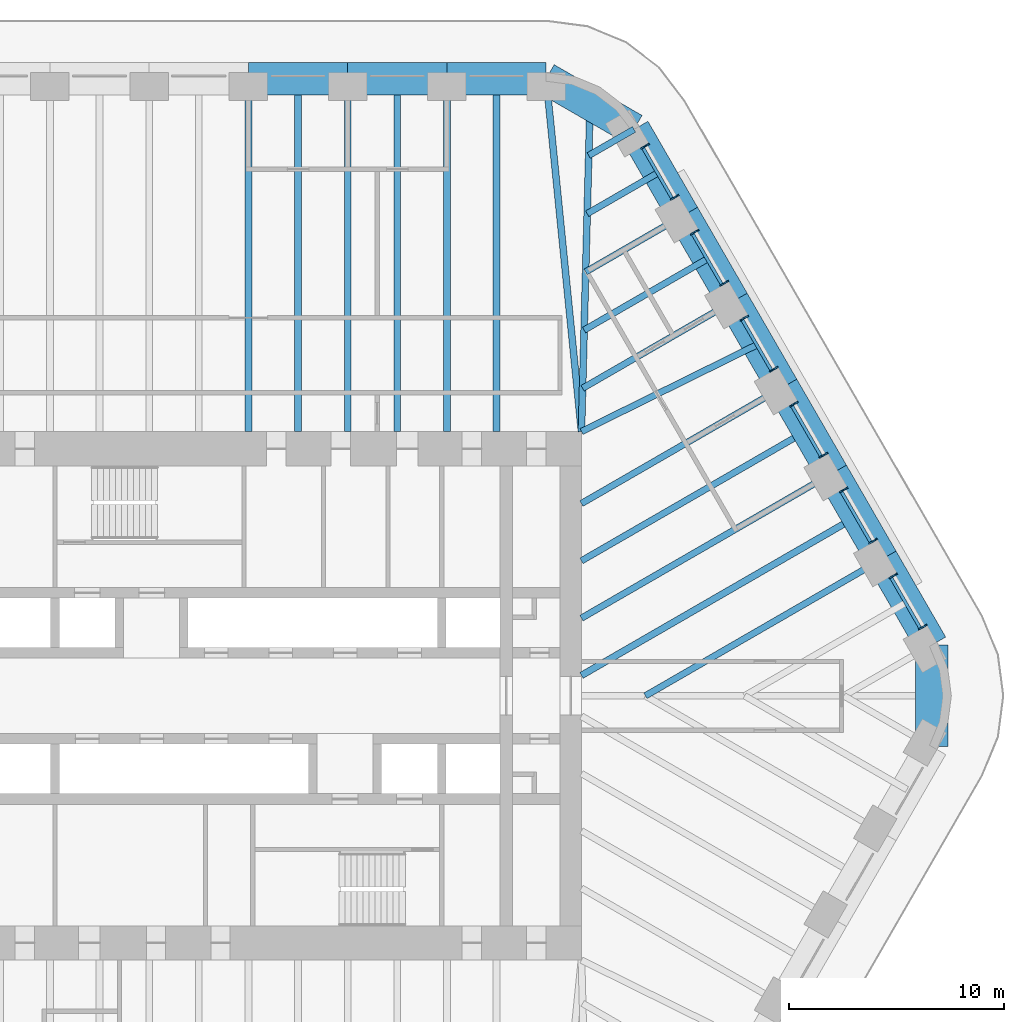
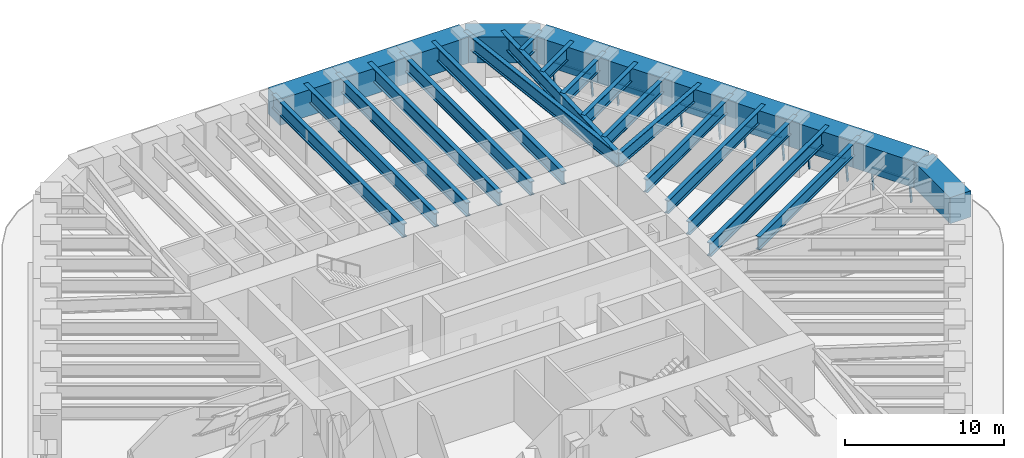
# One storey, part 5 of 12: 30 beams, 18 members, 6 elements without a shape of their own.
"""IFC4 building model written with IfcOpenShell, lengths in metres."""

from ifc_helpers import new_model, si_unit, direction, frame, origin, origin_2d, place, context, subcontext, project, spatial, rectangle, i_section, extrude, material, material_profile, profile_set, type_object, element, aggregate, save


model = new_model("IFC4")

# Units and contexts
model_context = context("Model", 3, precision=1e-05, world=origin(), true_north=direction((0.0, 1.0)))
body_context = subcontext(model_context, "Body", "Model", "MODEL_VIEW")
ifc_project = project(units=[si_unit("LENGTHUNIT", "METRE"), si_unit("AREAUNIT", "SQUARE_METRE"), si_unit("VOLUMEUNIT", "CUBIC_METRE"), si_unit("PLANEANGLEUNIT", "RADIAN"), si_unit("MASSUNIT", "GRAM", prefix="KILO")], contexts=[model_context])

# Site, building, storey
site_placement = place(None, origin())
site = spatial("IfcSite", under=ifc_project, at=site_placement, CompositionType="ELEMENT")
building_placement = place(site_placement, origin())
building = spatial("IfcBuilding", under=site, at=building_placement, Name="Tarfa Lantern Tower", CompositionType="ELEMENT")
storey_placement = place(building_placement, frame((0.0, 0.0, 295.300048828125)))
storey = spatial("IfcBuildingStorey", under=building, at=storey_placement, Name="L67", CompositionType="ELEMENT", Elevation=295.300048828125)

# Curtain wall, members
ifc_material_1 = material(Name="Aluminium framed curtain wall", Category="aluminium")
curtain_wall_type = type_object("IfcCurtainWallType", Name="CW3 CANTED GLAZING HIGH ZONE 1900", PredefinedType="USERDEFINED", material=ifc_material_1)
curtain_wall_1_placement = place(storey_placement, origin())
curtain_wall_1 = element("IfcCurtainWall", 1, at=curtain_wall_1_placement, inside=storey, type_object=curtain_wall_type, Name="CW3 NE L67", ObjectType="CURTAIN WALL", PredefinedType="USERDEFINED")
ifc_material_2 = material(Name="Aluminium mullion", Category="aluminium")
ifc_material_profile_1 = material_profile(ifc_material_2, rectangle(XDim=0.06494140625, YDim=0.199951171875, at=origin_2d()), Name="AL MULLION 65x200")
ifc_profile_set_1 = profile_set([ifc_material_profile_1], Name="Aluminium mullion")
member_type_1 = type_object("IfcMemberType", Name="CWM1 MULLION 65x200", PredefinedType="MULLION", material=ifc_profile_set_1)
member_1_placement = place(storey_placement, frame((31.489990234375, 3.257568359375, 0.0), z_axis=(-0.112880747246, -0.065231312178, 0.99146498315), x_axis=(0.500342721131, -0.865827443207, 0.0)))
member_1 = element("IfcMember", 2, at=member_1_placement, type_object=member_type_1, Name="CW3 mullion 1", PredefinedType="MULLION", context=body_context, shape_type="SweptSolid", body=[
    extrude(rectangle(XDim=0.06494140625, YDim=0.199951171875, at=origin_2d()), origin(), (0.0, 0.0, 1.0), 1.916259765625),
])
member_2_placement = place(storey_placement, frame((30.11328125, 5.642333984375, 0.0), z_axis=(-0.113006526037, -0.065230373541, 0.991450716597), x_axis=(0.499919672301, -0.866071776036, 0.0)))
member_2 = element("IfcMember", 3, at=member_2_placement, type_object=member_type_1, Name="CW3 mullion 2", PredefinedType="MULLION", context=body_context, shape_type="SweptSolid", body=[
    extrude(rectangle(XDim=0.06494140625, YDim=0.199951171875, at=origin_2d()), origin(), (0.0, 0.0, 1.0), 1.916259765625),
])

curtain_wall_2_placement = place(storey_placement, origin())
curtain_wall_2 = element("IfcCurtainWall", 4, at=curtain_wall_2_placement, inside=storey, type_object=curtain_wall_type, Name="CW3 NE L67", ObjectType="CURTAIN WALL", PredefinedType="USERDEFINED")
member_3_placement = place(storey_placement, frame((29.1806640625, 7.257568359375, 0.0), z_axis=(-0.113006526037, -0.065230373541, 0.991450716597), x_axis=(0.499919672301, -0.866071776036, 0.0)))
member_3 = element("IfcMember", 5, at=member_3_placement, type_object=member_type_1, Name="CW3 mullion 1", PredefinedType="MULLION", context=body_context, shape_type="SweptSolid", body=[
    extrude(rectangle(XDim=0.06494140625, YDim=0.199951171875, at=origin_2d()), origin(), (0.0, 0.0, 1.0), 1.916259765625),
])
member_4_placement = place(storey_placement, frame((27.8037109375, 9.642333984375, 0.0), z_axis=(-0.113006526037, -0.065230373541, 0.991450716597), x_axis=(0.499919672301, -0.866071776036, 0.0)))
member_4 = element("IfcMember", 6, at=member_4_placement, type_object=member_type_1, Name="CW3 mullion 2", PredefinedType="MULLION", context=body_context, shape_type="SweptSolid", body=[
    extrude(rectangle(XDim=0.06494140625, YDim=0.199951171875, at=origin_2d()), origin(), (0.0, 0.0, 1.0), 1.916259765625),
])

curtain_wall_3_placement = place(storey_placement, origin())
curtain_wall_3 = element("IfcCurtainWall", 7, at=curtain_wall_3_placement, inside=storey, type_object=curtain_wall_type, Name="CW3 NE L67", ObjectType="CURTAIN WALL", PredefinedType="USERDEFINED")
member_5_placement = place(storey_placement, frame((26.871337890625, 11.257568359375, 0.0), z_axis=(-0.113006526037, -0.065230373541, 0.991450716597), x_axis=(0.499919672301, -0.866071776036, 0.0)))
member_5 = element("IfcMember", 8, at=member_5_placement, type_object=member_type_1, Name="CW3 mullion 1", PredefinedType="MULLION", context=body_context, shape_type="SweptSolid", body=[
    extrude(rectangle(XDim=0.06494140625, YDim=0.199951171875, at=origin_2d()), origin(), (0.0, 0.0, 1.0), 1.916259765625),
])
member_6_placement = place(storey_placement, frame((25.494384765625, 13.642333984375, 0.0), z_axis=(-0.113006526037, -0.065230373541, 0.991450716597), x_axis=(0.499919672301, -0.866071776036, 0.0)))
member_6 = element("IfcMember", 9, at=member_6_placement, type_object=member_type_1, Name="CW3 mullion 2", PredefinedType="MULLION", context=body_context, shape_type="SweptSolid", body=[
    extrude(rectangle(XDim=0.06494140625, YDim=0.199951171875, at=origin_2d()), origin(), (0.0, 0.0, 1.0), 1.916259765625),
])

curtain_wall_4_placement = place(storey_placement, origin())
curtain_wall_4 = element("IfcCurtainWall", 10, at=curtain_wall_4_placement, inside=storey, type_object=curtain_wall_type, Name="CW3 NE L67", ObjectType="CURTAIN WALL", PredefinedType="USERDEFINED")
member_7_placement = place(storey_placement, frame((24.561767578125, 15.257568359375, 0.0), z_axis=(-0.112880747246, -0.065231312178, 0.99146498315), x_axis=(0.500342721131, -0.865827443207, 0.0)))
member_7 = element("IfcMember", 11, at=member_7_placement, type_object=member_type_1, Name="CW3 mullion 1", PredefinedType="MULLION", context=body_context, shape_type="SweptSolid", body=[
    extrude(rectangle(XDim=0.06494140625, YDim=0.199951171875, at=origin_2d()), origin(), (0.0, 0.0, 1.0), 1.916259765625),
])
member_8_placement = place(storey_placement, frame((23.18505859375, 17.642333984375, 0.0), z_axis=(-0.113006526037, -0.065230373541, 0.991450716597), x_axis=(0.499919672301, -0.866071776036, 0.0)))
member_8 = element("IfcMember", 12, at=member_8_placement, type_object=member_type_1, Name="CW3 mullion 2", PredefinedType="MULLION", context=body_context, shape_type="SweptSolid", body=[
    extrude(rectangle(XDim=0.06494140625, YDim=0.199951171875, at=origin_2d()), origin(), (0.0, 0.0, 1.0), 1.916259765625),
])

curtain_wall_5_placement = place(storey_placement, origin())
curtain_wall_5 = element("IfcCurtainWall", 13, at=curtain_wall_5_placement, inside=storey, type_object=curtain_wall_type, Name="CW3 NE L67", ObjectType="CURTAIN WALL", PredefinedType="USERDEFINED")
member_9_placement = place(storey_placement, frame((22.25244140625, 19.257568359375, 0.0), z_axis=(-0.113006526037, -0.065230373541, 0.991450716597), x_axis=(0.499919672301, -0.866071776036, 0.0)))
member_9 = element("IfcMember", 14, at=member_9_placement, type_object=member_type_1, Name="CW3 mullion 1", PredefinedType="MULLION", context=body_context, shape_type="SweptSolid", body=[
    extrude(rectangle(XDim=0.06494140625, YDim=0.199951171875, at=origin_2d()), origin(), (0.0, 0.0, 1.0), 1.916259765625),
])
member_10_placement = place(storey_placement, frame((20.87548828125, 21.642333984375, 0.0), z_axis=(-0.112880747246, -0.065231312178, 0.99146498315), x_axis=(0.500342721131, -0.865827443207, 0.0)))
member_10 = element("IfcMember", 15, at=member_10_placement, type_object=member_type_1, Name="CW3 mullion 2", PredefinedType="MULLION", context=body_context, shape_type="SweptSolid", body=[
    extrude(rectangle(XDim=0.06494140625, YDim=0.199951171875, at=origin_2d()), origin(), (0.0, 0.0, 1.0), 1.916259765625),
])

curtain_wall_6_placement = place(storey_placement, origin())
curtain_wall_6 = element("IfcCurtainWall", 16, at=curtain_wall_6_placement, inside=storey, type_object=curtain_wall_type, Name="CW3 NE L67", ObjectType="CURTAIN WALL", PredefinedType="USERDEFINED")
member_11_placement = place(storey_placement, frame((19.943115234375, 23.257568359375, 0.0), z_axis=(-0.113006526037, -0.065230373541, 0.991450716597), x_axis=(0.499919672301, -0.866071776036, 0.0)))
member_11 = element("IfcMember", 17, at=member_11_placement, type_object=member_type_1, Name="CW3 mullion 1", PredefinedType="MULLION", context=body_context, shape_type="SweptSolid", body=[
    extrude(rectangle(XDim=0.06494140625, YDim=0.199951171875, at=origin_2d()), origin(), (0.0, 0.0, 1.0), 1.916259765625),
])
member_12_placement = place(storey_placement, frame((18.566162109375, 25.642333984375, 0.0), z_axis=(-0.113006526037, -0.065230373541, 0.991450716597), x_axis=(0.499919672301, -0.866071776036, 0.0)))
member_12 = element("IfcMember", 18, at=member_12_placement, type_object=member_type_1, Name="CW3 mullion 2", PredefinedType="MULLION", context=body_context, shape_type="SweptSolid", body=[
    extrude(rectangle(XDim=0.06494140625, YDim=0.199951171875, at=origin_2d()), origin(), (0.0, 0.0, 1.0), 1.916259765625),
])

# Member
ifc_material_3 = material(Name="Aluminium transom", Category="aluminium")
ifc_material_profile_2 = material_profile(ifc_material_3, rectangle(XDim=0.14990234375, YDim=0.06494140625, at=origin_2d()), Name="AL TRANSOM 150x65")
ifc_profile_set_2 = profile_set([ifc_material_profile_2], Name="Aluminium transom")
member_type_2 = type_object("IfcMemberType", Name="CWT1 TRANSOM 150x65", PredefinedType="USERDEFINED", material=ifc_profile_set_2)
member_13_placement = place(storey_placement, frame((31.260986328125, 3.162841796875, 1.867431640625), z_axis=(-0.499947775101, 0.866055553744, 0.0), x_axis=(-0.866055553744, -0.499947775101, 0.0)))
member_13 = element("IfcMember", 19, at=member_13_placement, type_object=member_type_2, Name="CW3 transom 1.2", ObjectType="TRANSOM", PredefinedType="USERDEFINED", context=body_context, shape_type="SweptSolid", body=[
    extrude(rectangle(XDim=0.14990234375, YDim=0.06494140625, at=origin_2d()), origin(), (0.0, 0.0, 1.0), 2.688720703125),
])

aggregate(curtain_wall_1, [member_1, member_2, member_13])

member_14_placement = place(storey_placement, frame((28.95166015625, 7.162841796875, 1.867431640625), z_axis=(-0.500015875611, 0.866016237802, 0.0), x_axis=(-0.866016237802, -0.500015875611, 0.0)))
member_14 = element("IfcMember", 20, at=member_14_placement, type_object=member_type_2, Name="CW3 transom 1.2", ObjectType="TRANSOM", PredefinedType="USERDEFINED", context=body_context, shape_type="SweptSolid", body=[
    extrude(rectangle(XDim=0.14990234375, YDim=0.06494140625, at=origin_2d()), origin(), (0.0, 0.0, 1.0), 2.68896484375),
])

aggregate(curtain_wall_2, [member_3, member_4, member_14])

member_15_placement = place(storey_placement, frame((26.642333984375, 11.162841796875, 1.867431640625), z_axis=(-0.500015875611, 0.866016237802, 0.0), x_axis=(-0.866016237802, -0.500015875611, 0.0)))
member_15 = element("IfcMember", 21, at=member_15_placement, type_object=member_type_2, Name="CW3 transom 1.2", ObjectType="TRANSOM", PredefinedType="USERDEFINED", context=body_context, shape_type="SweptSolid", body=[
    extrude(rectangle(XDim=0.14990234375, YDim=0.06494140625, at=origin_2d()), origin(), (0.0, 0.0, 1.0), 2.68896484375),
])

aggregate(curtain_wall_3, [member_5, member_6, member_15])

member_16_placement = place(storey_placement, frame((24.332763671875, 15.162841796875, 1.867431640625), z_axis=(-0.499947775101, 0.866055553744, 0.0), x_axis=(-0.866055553744, -0.499947775101, 0.0)))
member_16 = element("IfcMember", 22, at=member_16_placement, type_object=member_type_2, Name="CW3 transom 1.2", ObjectType="TRANSOM", PredefinedType="USERDEFINED", context=body_context, shape_type="SweptSolid", body=[
    extrude(rectangle(XDim=0.14990234375, YDim=0.06494140625, at=origin_2d()), origin(), (0.0, 0.0, 1.0), 2.688720703125),
])

aggregate(curtain_wall_4, [member_7, member_8, member_16])

member_17_placement = place(storey_placement, frame((22.0234375, 19.162841796875, 1.867431640625), z_axis=(-0.500015875611, 0.866016237802, 0.0), x_axis=(-0.866016237802, -0.500015875611, 0.0)))
member_17 = element("IfcMember", 23, at=member_17_placement, type_object=member_type_2, Name="CW3 transom 1.2", ObjectType="TRANSOM", PredefinedType="USERDEFINED", context=body_context, shape_type="SweptSolid", body=[
    extrude(rectangle(XDim=0.14990234375, YDim=0.06494140625, at=origin_2d()), origin(), (0.0, 0.0, 1.0), 2.68896484375),
])

aggregate(curtain_wall_5, [member_9, member_10, member_17])

member_18_placement = place(storey_placement, frame((19.714111328125, 23.162841796875, 1.867431640625), z_axis=(-0.500015875611, 0.866016237802, 0.0), x_axis=(-0.866016237802, -0.500015875611, 0.0)))
member_18 = element("IfcMember", 24, at=member_18_placement, type_object=member_type_2, Name="CW3 transom 1.2", ObjectType="TRANSOM", PredefinedType="USERDEFINED", context=body_context, shape_type="SweptSolid", body=[
    extrude(rectangle(XDim=0.14990234375, YDim=0.06494140625, at=origin_2d()), origin(), (0.0, 0.0, 1.0), 2.68896484375),
])

aggregate(curtain_wall_6, [member_11, member_12, member_18])

# Beams
ifc_material_4 = material(Name="Concrete C80/95", Category="concrete")
ifc_material_profile_3 = material_profile(ifc_material_4, rectangle(XDim=1.5, YDim=2.0, at=origin_2d()), Name="RC 1500x2000")
ifc_profile_set_3 = profile_set([ifc_material_profile_3], Name="Concrete C80/95")
beam_type_1 = type_object("IfcBeamType", Name="RB3 RC 1500x2000", PredefinedType="BEAM", material=ifc_profile_set_3)
beam_1_placement = place(storey_placement, frame((31.800537109375, 2.360107421875, 2.89990234375), z_axis=(-0.500027479704, 0.866009537788, 0.0), x_axis=(-0.866009537788, -0.500027479704, 0.0)))
element("IfcBeam", 25, at=beam_1_placement, inside=storey, type_object=beam_type_1, Name="Edge beam NE0", PredefinedType="BEAM", context=body_context, shape_type="SweptSolid", body=[
    extrude(rectangle(XDim=1.5, YDim=2.0, at=origin_2d()), origin(), (0.0, 0.0, 1.0), 4.618896484375),
])
for number, where, z_axis, x_axis, name in (
    (26, (29.490966796875, 6.360107421875, 2.89990234375), (-0.499987836815, 0.866032426089, 0.0), (-0.866032426089, -0.499987836815, 0.0), "Edge beam NE1"),
    (27, (27.181640625, 10.360107421875, 2.89990234375), (-0.499987836815, 0.866032426089, 0.0), (-0.866032426089, -0.499987836815, 0.0), "Edge beam NE2"),
):
    element("IfcBeam", number, at=place(storey_placement, frame(where, z_axis=z_axis, x_axis=x_axis)), inside=storey, type_object=beam_type_1, Name=name, PredefinedType="BEAM", context=body_context, shape_type="SweptSolid", body=[
        extrude(rectangle(XDim=1.5, YDim=2.0, at=origin_2d()), origin(), (0.0, 0.0, 1.0), 4.61865234375),
    ])
beam_2_placement = place(storey_placement, frame((24.872314453125, 14.360107421875, 2.89990234375), z_axis=(-0.500027479704, 0.866009537788, 0.0), x_axis=(-0.866009537788, -0.500027479704, 0.0)))
element("IfcBeam", 28, at=beam_2_placement, inside=storey, type_object=beam_type_1, Name="Edge beam NE3", PredefinedType="BEAM", context=body_context, shape_type="SweptSolid", body=[
    extrude(rectangle(XDim=1.5, YDim=2.0, at=origin_2d()), origin(), (0.0, 0.0, 1.0), 4.618896484375),
])
for number, where, z_axis, x_axis, name in (
    (29, (22.562744140625, 18.360107421875, 2.89990234375), (-0.499987836815, 0.866032426089, 0.0), (-0.866032426089, -0.499987836815, 0.0), "Edge beam NE4"),
    (30, (20.25341796875, 22.360107421875, 2.89990234375), (-0.499987836815, 0.866032426089, 0.0), (-0.866032426089, -0.499987836815, 0.0), "Edge beam NE5"),
):
    element("IfcBeam", number, at=place(storey_placement, frame(where, z_axis=z_axis, x_axis=x_axis)), inside=storey, type_object=beam_type_1, Name=name, PredefinedType="BEAM", context=body_context, shape_type="SweptSolid", body=[
        extrude(rectangle(XDim=1.5, YDim=2.0, at=origin_2d()), origin(), (0.0, 0.0, 1.0), 4.61865234375),
    ])
beam_3_placement = place(storey_placement, frame((17.944091796875, 26.360107421875, 2.89990234375), z_axis=(-0.866038294681, 0.499977671647, 0.0), x_axis=(-0.499977671647, -0.866038294681, 0.0)))
element("IfcBeam", 31, at=beam_3_placement, inside=storey, type_object=beam_type_1, Name="Edge beam NE6", PredefinedType="BEAM", context=body_context, shape_type="SweptSolid", body=[
    extrude(rectangle(XDim=1.5, YDim=2.0, at=origin_2d()), origin(), (0.0, 0.0, 1.0), 4.719970703125),
])
beam_4_placement = place(storey_placement, frame((13.8564453125, 28.719970703125, 2.89990234375), z_axis=(-1.0, 0.0, 0.0), x_axis=(0.0, -1.0, 0.0)))
element("IfcBeam", 32, at=beam_4_placement, inside=storey, type_object=beam_type_1, Name="Edge beam N0", PredefinedType="BEAM", context=body_context, shape_type="SweptSolid", body=[
    extrude(rectangle(XDim=1.5, YDim=2.0, at=origin_2d()), origin(), (0.0, 0.0, 1.0), 4.618896484375),
])
beam_5_placement = place(storey_placement, frame((9.237548828125, 28.719970703125, 2.89990234375), z_axis=(-1.0, 0.0, 0.0), x_axis=(0.0, -1.0, 0.0)))
element("IfcBeam", 33, at=beam_5_placement, inside=storey, type_object=beam_type_1, Name="Edge beam N1", PredefinedType="BEAM", context=body_context, shape_type="SweptSolid", body=[
    extrude(rectangle(XDim=1.5, YDim=2.0, at=origin_2d()), origin(), (0.0, 0.0, 1.0), 4.61865234375),
])
beam_6_placement = place(storey_placement, frame((4.618896484375, 28.719970703125, 2.89990234375), z_axis=(-1.0, 0.0, 0.0), x_axis=(0.0, -1.0, 0.0)))
element("IfcBeam", 34, at=beam_6_placement, inside=storey, type_object=beam_type_1, Name="Edge beam N2", PredefinedType="BEAM", context=body_context, shape_type="SweptSolid", body=[
    extrude(rectangle(XDim=1.5, YDim=2.0, at=origin_2d()), origin(), (0.0, 0.0, 1.0), 4.618896484375),
])
beam_7_placement = place(storey_placement, frame((31.800537109375, -2.360107421875, 2.89990234375), z_axis=(0.0, 1.0, 0.0), x_axis=(-1.0, 0.0, 0.0)))
element("IfcBeam", 35, at=beam_7_placement, inside=storey, type_object=beam_type_1, Name="Edge beam SE6", PredefinedType="BEAM", context=body_context, shape_type="SweptSolid", body=[
    extrude(rectangle(XDim=1.5, YDim=2.0, at=origin_2d()), origin(), (0.0, 0.0, 1.0), 4.72021484375),
])
ifc_material_5 = material(Name="Steel S460M", Category="steel")
ifc_material_profile_4 = material_profile(ifc_material_5, i_section(OverallWidth=0.302001953125, OverallDepth=1.008056640625, WebThickness=0.02099609375, FlangeThickness=0.0400390625, FilletRadius=0.030029296875, at=origin_2d()), Name="UB1016x305x349")
ifc_profile_set_4 = profile_set([ifc_material_profile_4], Name="Steel S460M")
beam_type_2 = type_object("IfcBeamType", Name="UB1016x305x349", PredefinedType="BEAM", material=ifc_profile_set_4)
beam_8_placement = place(storey_placement, frame((29.490966796875, 6.360107421875, 3.39599609375), z_axis=(-0.866022258038, -0.500005448553, 0.0), x_axis=(0.500005448553, -0.866022258038, 0.0)))
element("IfcBeam", 36, at=beam_8_placement, inside=storey, type_object=beam_type_2, Name="Floor beam NE1", PredefinedType="BEAM", context=body_context, shape_type="SweptSolid", body=[
    extrude(i_section(OverallWidth=0.302001953125, OverallDepth=1.008056640625, WebThickness=0.02099609375, FlangeThickness=0.0400390625, FilletRadius=0.030029296875, at=origin_2d()), origin(), (0.0, 0.0, 1.0), 12.719970703125),
])
beam_9_placement = place(storey_placement, frame((27.181640625, 10.360107421875, 3.39599609375), z_axis=(-0.866018002818, -0.500012818631, 0.0), x_axis=(0.500012818631, -0.866018002818, 0.0)))
element("IfcBeam", 37, at=beam_9_placement, inside=storey, type_object=beam_type_2, Name="Floor beam NE2", PredefinedType="BEAM", context=body_context, shape_type="SweptSolid", body=[
    extrude(i_section(OverallWidth=0.302001953125, OverallDepth=1.008056640625, WebThickness=0.02099609375, FlangeThickness=0.0400390625, FilletRadius=0.030029296875, at=origin_2d()), origin(), (0.0, 0.0, 1.0), 13.489013671875),
])
beam_10_placement = place(storey_placement, frame((24.872314453125, 14.360107421875, 3.39599609375), z_axis=(-0.8660244219, -0.500001700669, 0.0), x_axis=(0.500001700669, -0.8660244219, 0.0)))
element("IfcBeam", 38, at=beam_10_placement, inside=storey, type_object=beam_type_2, Name="Floor beam NE3", PredefinedType="BEAM", context=body_context, shape_type="SweptSolid", body=[
    extrude(i_section(OverallWidth=0.302001953125, OverallDepth=1.008056640625, WebThickness=0.02099609375, FlangeThickness=0.0400390625, FilletRadius=0.030029296875, at=origin_2d()), origin(), (0.0, 0.0, 1.0), 10.822265625),
])
beam_11_placement = place(storey_placement, frame((22.562744140625, 18.360107421875, 3.39599609375), z_axis=(-0.866010787764, -0.500025314835, 0.0), x_axis=(0.500025314835, -0.866010787764, 0.0)))
element("IfcBeam", 39, at=beam_11_placement, inside=storey, type_object=beam_type_2, Name="Floor beam NE4", PredefinedType="BEAM", context=body_context, shape_type="SweptSolid", body=[
    extrude(i_section(OverallWidth=0.302001953125, OverallDepth=1.008056640625, WebThickness=0.02099609375, FlangeThickness=0.0400390625, FilletRadius=0.030029296875, at=origin_2d()), origin(), (0.0, 0.0, 1.0), 8.09423828125),
])
beam_12_placement = place(storey_placement, frame((20.25341796875, 22.360107421875, 3.39599609375), z_axis=(-0.86601951648, -0.500010196972, 0.0), x_axis=(0.500010196972, -0.86601951648, 0.0)))
element("IfcBeam", 40, at=beam_12_placement, inside=storey, type_object=beam_type_2, Name="Floor beam NE5", PredefinedType="BEAM", context=body_context, shape_type="SweptSolid", body=[
    extrude(i_section(OverallWidth=0.302001953125, OverallDepth=1.008056640625, WebThickness=0.02099609375, FlangeThickness=0.0400390625, FilletRadius=0.030029296875, at=origin_2d()), origin(), (0.0, 0.0, 1.0), 5.263671875),
])
beam_13_placement = place(storey_placement, frame((17.944091796875, 26.360107421875, 3.39599609375), z_axis=(-0.865980009423, -0.5000786171, 0.0), x_axis=(0.5000786171, -0.865980009423, 0.0)))
element("IfcBeam", 41, at=beam_13_placement, inside=storey, type_object=beam_type_2, Name="Floor beam NE6", PredefinedType="BEAM", context=body_context, shape_type="SweptSolid", body=[
    extrude(i_section(OverallWidth=0.302001953125, OverallDepth=1.008056640625, WebThickness=0.02099609375, FlangeThickness=0.0400390625, FilletRadius=0.030029296875, at=origin_2d()), origin(), (0.0, 0.0, 1.0), 2.4326171875),
])
beam_14_placement = place(storey_placement, frame((26.02685546875, 12.360107421875, 3.39599609375), z_axis=(-0.866018349627, -0.500012217959, 0.0), x_axis=(0.500012217959, -0.866018349627, 0.0)))
element("IfcBeam", 42, at=beam_14_placement, inside=storey, type_object=beam_type_2, Name="Floor beam NE2M", PredefinedType="BEAM", context=body_context, shape_type="SweptSolid", body=[
    extrude(i_section(OverallWidth=0.302001953125, OverallDepth=1.008056640625, WebThickness=0.02099609375, FlangeThickness=0.0400390625, FilletRadius=0.030029296875, at=origin_2d()), origin(), (0.0, 0.0, 1.0), 12.155517578125),
])
beam_15_placement = place(storey_placement, frame((23.717529296875, 16.360107421875, 3.39599609375), z_axis=(-0.896542644816, -0.442957431394, 0.0), x_axis=(0.442957431394, -0.896542644816, 0.0)))
element("IfcBeam", 43, at=beam_15_placement, inside=storey, type_object=beam_type_2, Name="Floor beam NE3M", PredefinedType="BEAM", context=body_context, shape_type="SweptSolid", body=[
    extrude(i_section(OverallWidth=0.302001953125, OverallDepth=1.008056640625, WebThickness=0.02099609375, FlangeThickness=0.0400390625, FilletRadius=0.030029296875, at=origin_2d()), origin(), (0.0, 0.0, 1.0), 9.165771484375),
])
beam_16_placement = place(storey_placement, frame((21.408203125, 20.360107421875, 3.39599609375), z_axis=(-0.866018796745, -0.500011443554, 0.0), x_axis=(0.500011443554, -0.866018796745, 0.0)))
element("IfcBeam", 44, at=beam_16_placement, inside=storey, type_object=beam_type_2, Name="Floor beam NE4M", PredefinedType="BEAM", context=body_context, shape_type="SweptSolid", body=[
    extrude(i_section(OverallWidth=0.302001953125, OverallDepth=1.008056640625, WebThickness=0.02099609375, FlangeThickness=0.0400390625, FilletRadius=0.030029296875, at=origin_2d()), origin(), (0.0, 0.0, 1.0), 6.678955078125),
])
beam_17_placement = place(storey_placement, frame((19.0986328125, 24.360107421875, 3.39599609375), z_axis=(-0.866020765707, -0.500008033299, 0.0), x_axis=(0.500008033299, -0.866020765707, 0.0)))
element("IfcBeam", 45, at=beam_17_placement, inside=storey, type_object=beam_type_2, Name="Floor beam NE5M", PredefinedType="BEAM", context=body_context, shape_type="SweptSolid", body=[
    extrude(i_section(OverallWidth=0.302001953125, OverallDepth=1.008056640625, WebThickness=0.02099609375, FlangeThickness=0.0400390625, FilletRadius=0.030029296875, at=origin_2d()), origin(), (0.0, 0.0, 1.0), 3.84814453125),
])
ifc_material_profile_5 = material_profile(ifc_material_5, i_section(OverallWidth=0.314208984375, OverallDepth=1.055908203125, WebThickness=0.035888671875, FlangeThickness=0.06396484375, FilletRadius=0.030029296875, at=origin_2d()), Name="UB1016x305x584")
ifc_profile_set_5 = profile_set([ifc_material_profile_5], Name="Steel S460M")
beam_type_3 = type_object("IfcBeamType", Name="UB1016x305x584", PredefinedType="BEAM", material=ifc_profile_set_5)
beam_18_placement = place(storey_placement, frame((15.5, 12.300048828125, 3.3720703125), z_axis=(0.026247301989, 0.999655480222, 0.0), x_axis=(-0.999655480222, 0.026247301989, 0.0)))
element("IfcBeam", 46, at=beam_18_placement, inside=storey, type_object=beam_type_3, Name="Hip girder NE", PredefinedType="BEAM", context=body_context, shape_type="SweptSolid", body=[
    extrude(i_section(OverallWidth=0.314208984375, OverallDepth=1.055908203125, WebThickness=0.035888671875, FlangeThickness=0.06396484375, FilletRadius=0.030029296875, at=origin_2d()), origin(), (0.0, 0.0, 1.0), 15.245361328125),
])
beam_19_placement = place(storey_placement, frame((13.8564453125, 28.719970703125, 3.3720703125), z_axis=(0.099597466746, -0.995027810977, 0.0), x_axis=(0.995027810977, 0.099597466746, 0.0)))
element("IfcBeam", 47, at=beam_19_placement, inside=storey, type_object=beam_type_3, Name="Floor beam N0", PredefinedType="BEAM", context=body_context, shape_type="SweptSolid", body=[
    extrude(i_section(OverallWidth=0.314208984375, OverallDepth=1.055908203125, WebThickness=0.035888671875, FlangeThickness=0.06396484375, FilletRadius=0.030029296875, at=origin_2d()), origin(), (0.0, 0.0, 1.0), 16.501953125),
])
for number, where, z_axis, x_axis, name in (
    (48, (9.237548828125, 28.719970703125, 3.3720703125), (0.0, -1.0, 0.0), (1.0, 0.0, 0.0), "Floor beam N1"),
    (49, (4.618896484375, 28.719970703125, 3.3720703125), (0.0, -1.0, 0.0), (1.0, 0.0, 0.0), "Floor beam N2"),
    (50, (0.0, 28.719970703125, 3.3720703125), (0.0, -1.0, 0.0), (1.0, 0.0, 0.0), "Floor beam N3"),
):
    element("IfcBeam", number, at=place(storey_placement, frame(where, z_axis=z_axis, x_axis=x_axis)), inside=storey, type_object=beam_type_3, Name=name, PredefinedType="BEAM", context=body_context, shape_type="SweptSolid", body=[
        extrude(i_section(OverallWidth=0.314208984375, OverallDepth=1.055908203125, WebThickness=0.035888671875, FlangeThickness=0.06396484375, FilletRadius=0.030029296875, at=origin_2d()), origin(), (0.0, 0.0, 1.0), 16.419921875),
    ])
beam_20_placement = place(storey_placement, frame((28.33642578125, 8.360107421875, 3.3720703125), z_axis=(-0.866024850702, -0.500000957966, 0.0), x_axis=(0.500000957966, -0.866024850702, 0.0)))
element("IfcBeam", 51, at=beam_20_placement, inside=storey, type_object=beam_type_3, Name="Floor beam NE1M", PredefinedType="BEAM", context=body_context, shape_type="SweptSolid", body=[
    extrude(i_section(OverallWidth=0.314208984375, OverallDepth=1.055908203125, WebThickness=0.035888671875, FlangeThickness=0.06396484375, FilletRadius=0.030029296875, at=origin_2d()), origin(), (0.0, 0.0, 1.0), 14.822265625),
])
for number, where, z_axis, x_axis, name in (
    (52, (11.547119140625, 28.719970703125, 3.3720703125), (0.0, -1.0, 0.0), (1.0, 0.0, 0.0), "Floor beam N0M"),
    (53, (6.92822265625, 28.719970703125, 3.3720703125), (0.0, -1.0, 0.0), (1.0, 0.0, 0.0), "Floor beam N1M"),
    (54, (2.309326171875, 28.719970703125, 3.3720703125), (0.0, -1.0, 0.0), (1.0, 0.0, 0.0), "Floor beam N2M"),
):
    element("IfcBeam", number, at=place(storey_placement, frame(where, z_axis=z_axis, x_axis=x_axis)), inside=storey, type_object=beam_type_3, Name=name, PredefinedType="BEAM", context=body_context, shape_type="SweptSolid", body=[
        extrude(i_section(OverallWidth=0.314208984375, OverallDepth=1.055908203125, WebThickness=0.035888671875, FlangeThickness=0.06396484375, FilletRadius=0.030029296875, at=origin_2d()), origin(), (0.0, 0.0, 1.0), 16.419921875),
    ])

save(model, "model.ifc")
